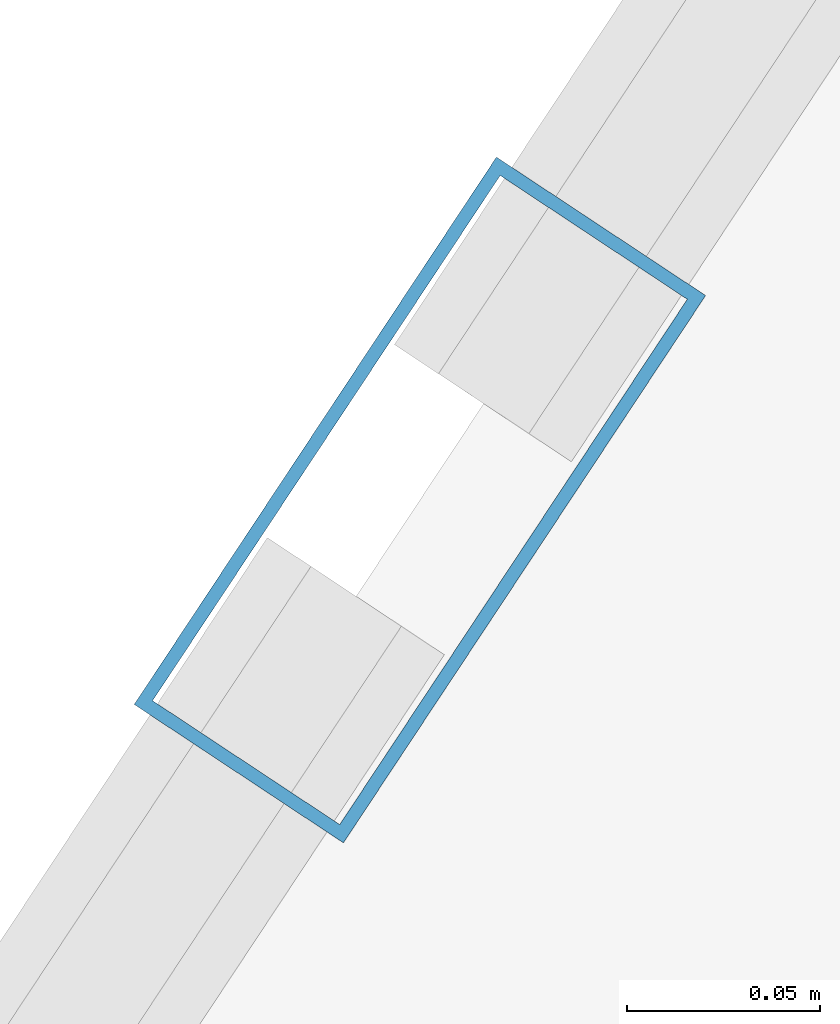
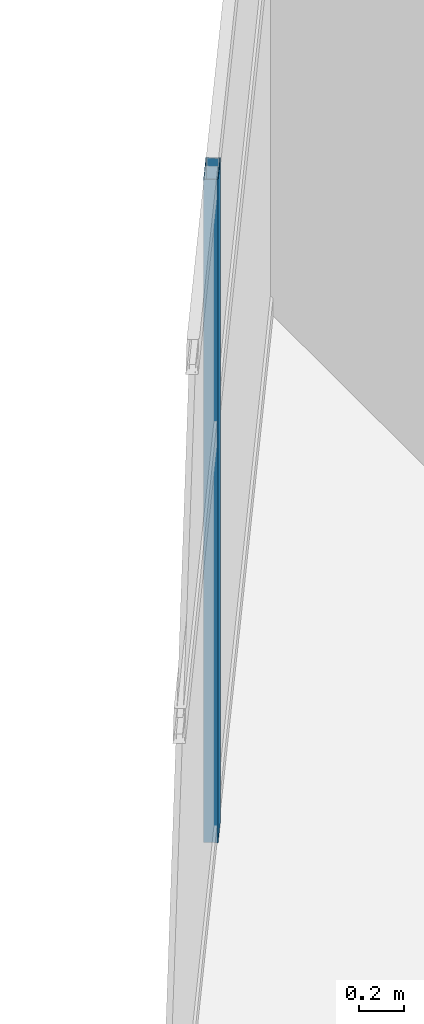
# One storey, part 13 of 28: 1 member, 1 element without a shape of its own.
"""IFC4 building model written with IfcOpenShell, lengths in metres."""

from ifc_helpers import new_model, si_unit, direction, frame, origin, origin_2d, place, context, subcontext, project, spatial, hollow_rectangle, extrude, material, layer, layer_set, material_profile, profile_set, type_object, element, aggregate, save


model = new_model("IFC4")

# Units and contexts
model_context = context("Model", 3, precision=1e-05, world=origin(), true_north=direction((0.0, 1.0)))
body_context = subcontext(model_context, "Body", "Model", "MODEL_VIEW")
ifc_project = project(units=[si_unit("LENGTHUNIT", "METRE"), si_unit("AREAUNIT", "SQUARE_METRE"), si_unit("VOLUMEUNIT", "CUBIC_METRE"), si_unit("PLANEANGLEUNIT", "RADIAN"), si_unit("MASSUNIT", "GRAM", prefix="KILO")], contexts=[model_context])

# Site, building, storey
site_placement = place(None, origin())
site = spatial("IfcSite", under=ifc_project, at=site_placement, CompositionType="ELEMENT")
building_placement = place(site_placement, origin())
building = spatial("IfcBuilding", under=site, at=building_placement, Name="Calvorn Quay Hotel", CompositionType="ELEMENT")
storey_placement = place(building_placement, frame((0.0, 0.0, 271.10009765625)))
storey = spatial("IfcBuildingStorey", under=building, at=storey_placement, Name="L67", CompositionType="ELEMENT", Elevation=271.10009765625)

# Curtain wall, member
ifc_material_1 = material(Name="Champagne Bronze Anodised Aluminium and Low-E Glass", Category="aluminium")
ifc_layer = layer(ifc_material_1, 0.219970703125)
ifc_layer_set = layer_set([ifc_layer], Name="CW-SYS-Z4")
curtain_wall_type = type_object("IfcCurtainWallType", Name="CW-SYS-Z4", PredefinedType="NOTDEFINED", material=ifc_layer_set)
curtain_wall_placement = place(storey_placement, origin())
curtain_wall = element("IfcCurtainWall", 1, at=curtain_wall_placement, inside=storey, type_object=curtain_wall_type, Name="Inner Court Curtain Wall L67-NE1", PredefinedType="NOTDEFINED")
ifc_material_2 = material(Name="Champagne Bronze Anodised Aluminium 6063-T6", Category="aluminium")
ifc_material_profile = material_profile(ifc_material_2, hollow_rectangle(XDim=0.06494140625, YDim=0.169921875, WallThickness=0.00341796875, at=origin_2d()), Name="ALU-M170x65x3.5")
ifc_profile_set = profile_set([ifc_material_profile], Name="Champagne Bronze Anodised Aluminium 6063-T6")
member_type = type_object("IfcMemberType", Name="CW-SYS-Z4-MUL", PredefinedType="MULLION", material=ifc_profile_set)
member_placement = place(storey_placement, frame((26.10009765625, 31.199951171875, 0.0), z_axis=(0.0, 0.0, 1.0), x_axis=(0.833932205724, -0.551866900852, 0.0)))
member = element("IfcMember", 2, at=member_placement, type_object=member_type, Name="CW-L67-NE1 mullion 2", PredefinedType="MULLION", context=body_context, shape_type="SweptSolid", body=[
    extrude(hollow_rectangle(XDim=0.06494140625, YDim=0.169921875, WallThickness=0.00341796875, at=origin_2d()), origin(), (0.0, 0.0, 1.0), 3.559814453125),
])
aggregate(curtain_wall, [member])

save(model, "model.ifc")
